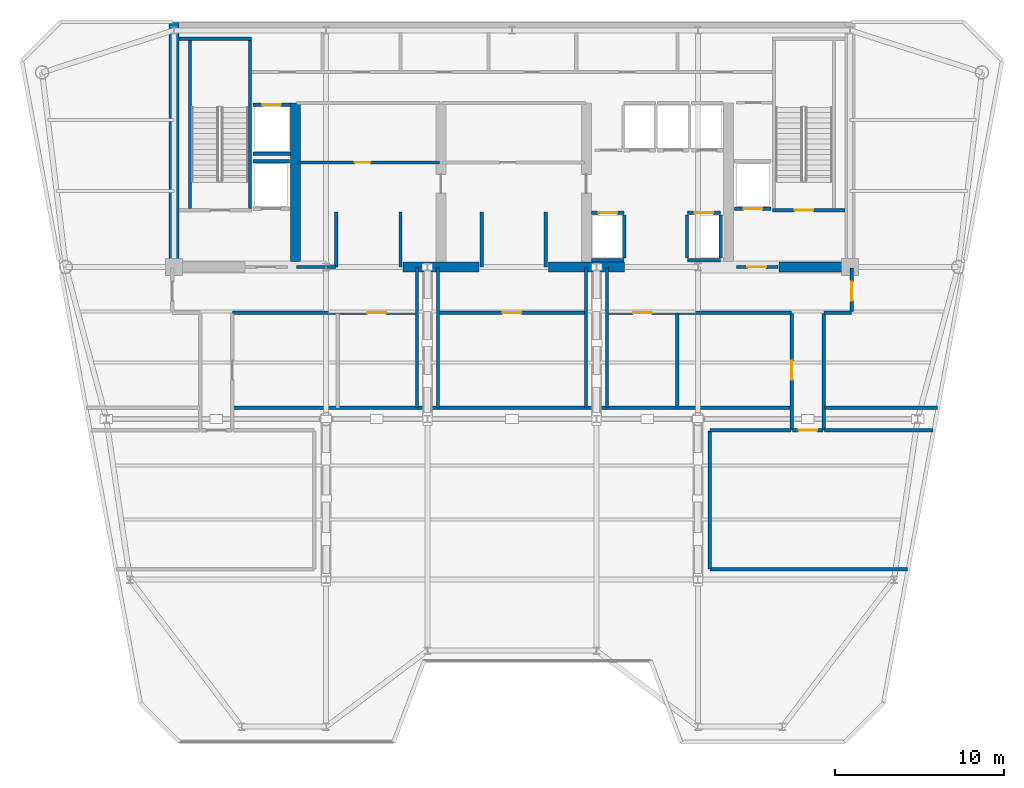
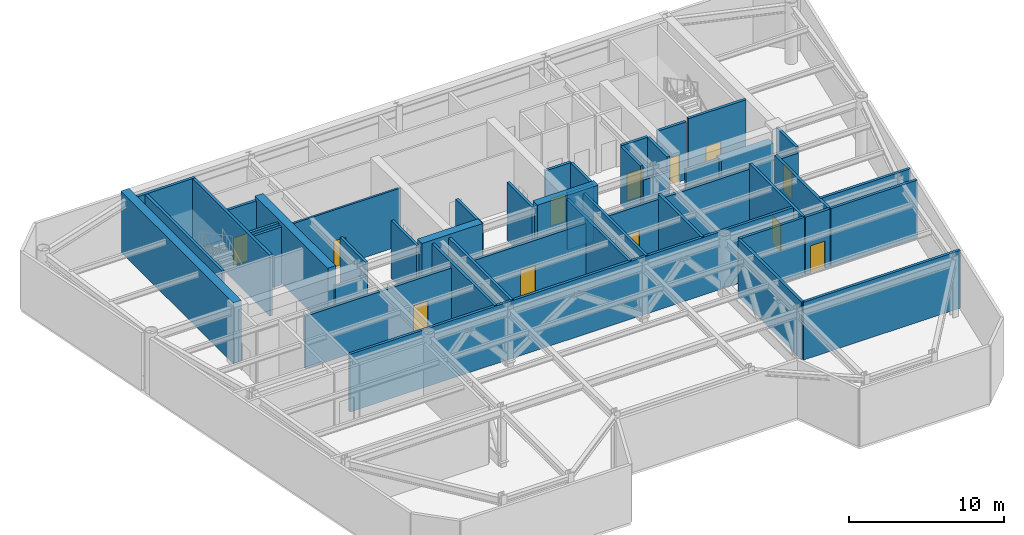
# One storey, part 4 of 9: 46 walls, 13 doors, 13 openings.
"""IFC4 building model written with IfcOpenShell, lengths in metres."""

import ifcopenshell
import ifcopenshell.guid

model = None  # the IFC model being written
_history = None  # IfcOwnerHistory: only IFC2X3 demands one
_inside = {}  # id of a spatial element -> (the spatial element, [elements in it])
_under = {}  # id of a project, library or spatial element -> (it, [spatial elements below it])
_declared = {}  # id of a project -> (the project, [libraries it declares])
_typed = {}  # id of a type object -> (the type object, [elements of that type])
_made_of = {}  # id of a material, layer set ... -> (it, [elements and type objects made of it])


def new_model(schema):
    """Start an empty IFC model of exactly this schema.

    Asked for "IFC4X3", IfcOpenShell would pick the latest addendum, in which some entities
    have other attributes; the version numbers below select the first issue.
    IFC2X3 requires an IfcOwnerHistory on every rooted entity: one is made here for all.
    """
    global model, _history
    if schema == "IFC4X3":
        model = ifcopenshell.file(schema_version=(4, 3, 0, 0))
    else:
        model = ifcopenshell.file(schema=schema)
    _inside.clear()
    _under.clear()
    _declared.clear()
    _typed.clear()
    _made_of.clear()
    _history = None
    if model.schema == "IFC2X3":
        org = make("IfcOrganization", Name="unknown")
        user = make(
            "IfcPersonAndOrganization",
            ThePerson=make("IfcPerson", FamilyName="unknown"),
            TheOrganization=org,
        )
        app = make(
            "IfcApplication",
            ApplicationDeveloper=org,
            Version="unknown",
            ApplicationFullName="unknown",
            ApplicationIdentifier="unknown",
        )
        _history = make(
            "IfcOwnerHistory",
            OwningUser=user,
            OwningApplication=app,
            ChangeAction="ADDED",
            CreationDate=0,
        )
    return model


def make(cls, **values):
    """One entity of the class cls with the attributes given. An attribute that is None is left unset."""
    return model.create_entity(
        cls, **{name: value for name, value in values.items() if value is not None}
    )


def rooted(cls, **values):
    """An entity with a GlobalId (a new one), such as an element, a storey or a relation."""
    return make(cls, GlobalId=ifcopenshell.guid.new(), OwnerHistory=_history, **values)


def si_unit(unit_type, name, prefix=None):
    """IfcSIUnit, for example si_unit("LENGTHUNIT", "METRE", prefix="MILLI")."""
    return make("IfcSIUnit", UnitType=unit_type, Prefix=prefix, Name=name)


def assignment(units):
    """IfcUnitAssignment: the units of a project."""
    return None if units is None else make("IfcUnitAssignment", Units=units)


def point(xyz):
    """IfcCartesianPoint."""
    return None if xyz is None else make("IfcCartesianPoint", Coordinates=xyz)


def direction(xyz):
    """IfcDirection."""
    return None if xyz is None else make("IfcDirection", DirectionRatios=xyz)


def frame(location, z_axis=None, x_axis=None):
    """IfcAxis2Placement3D, a coordinate frame: its origin and axes. An axis left out is left unset."""
    return make(
        "IfcAxis2Placement3D",
        Location=point(location),
        Axis=direction(z_axis),
        RefDirection=direction(x_axis),
    )


def frame_2d(location, x_axis=None):
    """IfcAxis2Placement2D, a coordinate frame in the plane: its origin and x axis."""
    return make(
        "IfcAxis2Placement2D", Location=point(location), RefDirection=direction(x_axis)
    )


def origin():
    """The frame at (0, 0, 0) with its axes left unset."""
    return frame((0.0, 0.0, 0.0))


def place(relative_to, where):
    """IfcLocalPlacement: puts the frame where relative to a parent placement (None: the world)."""
    return make(
        "IfcLocalPlacement", PlacementRelTo=relative_to, RelativePlacement=where
    )


def context(
    kind, dimensions, precision=None, world=None, true_north=None, identifier=None
):
    """IfcGeometricRepresentationContext, for example the 3D "Model" context."""
    return make(
        "IfcGeometricRepresentationContext",
        ContextIdentifier=identifier,
        ContextType=kind,
        CoordinateSpaceDimension=dimensions,
        Precision=precision,
        WorldCoordinateSystem=world,
        TrueNorth=true_north,
    )


def subcontext(parent, identifier, kind, view, scale=None):
    """IfcGeometricRepresentationSubContext, for example "Body" below "Model"."""
    return make(
        "IfcGeometricRepresentationSubContext",
        ContextIdentifier=identifier,
        ContextType=kind,
        ParentContext=parent,
        TargetScale=scale,
        TargetView=view,
    )


def project(units=None, contexts=None):
    """IfcProject with its units and contexts."""
    return rooted(
        "IfcProject",
        Name="project",
        RepresentationContexts=contexts,
        UnitsInContext=assignment(units),
    )


def spatial(cls, under=None, at=None, **own):
    """A site, building, storey or space (cls), placed at a placement, below another one or the project."""
    s = rooted(cls, ObjectPlacement=at, **own)
    if under is not None:
        _under.setdefault(under.id(), (under, []))[1].append(s)
    return s


def profile(cls, at=None, kind="AREA", **sizes):
    """A parametric profile (cls). Its sizes go by their IFC names, for example OverallWidth=200.0."""
    return make(cls, ProfileType=kind, Position=at, **sizes)


def rectangle(**sizes):
    """IfcRectangleProfileDef."""
    return profile("IfcRectangleProfileDef", **sizes)


def extrude(swept, where, along, depth):
    """IfcExtrudedAreaSolid: the profile swept, set in the frame where, extruded along a direction by depth."""
    return make(
        "IfcExtrudedAreaSolid",
        SweptArea=swept,
        Position=where,
        ExtrudedDirection=direction(along),
        Depth=depth,
    )


def shape(context_of_items, identifier, shape_type, items):
    """IfcShapeRepresentation: the items that make up one representation, for example the "Body"."""
    return make(
        "IfcShapeRepresentation",
        ContextOfItems=context_of_items,
        RepresentationIdentifier=identifier,
        RepresentationType=shape_type,
        Items=items,
    )


def source(mapping_origin, context_of_items, identifier, shape_type, items):
    """IfcRepresentationMap: a shape defined once, which mapped items show again and again."""
    return make(
        "IfcRepresentationMap",
        MappingOrigin=mapping_origin,
        MappedRepresentation=shape(context_of_items, identifier, shape_type, items),
    )


def transform(
    local_origin,
    x_axis=None,
    y_axis=None,
    z_axis=None,
    scale=None,
    scale2=None,
    scale3=None,
    uniform=True,
):
    """IfcCartesianTransformationOperator3D, or its non-uniform kind. x_axis, y_axis, z_axis: its Axis1, 2, 3."""
    if uniform:
        return make(
            "IfcCartesianTransformationOperator3D",
            Axis1=direction(x_axis),
            Axis2=direction(y_axis),
            LocalOrigin=point(local_origin),
            Scale=scale,
            Axis3=direction(z_axis),
        )
    return make(
        "IfcCartesianTransformationOperator3DnonUniform",
        Axis1=direction(x_axis),
        Axis2=direction(y_axis),
        LocalOrigin=point(local_origin),
        Scale=scale,
        Axis3=direction(z_axis),
        Scale2=scale2,
        Scale3=scale3,
    )


def mapped(mapping_source, mapping_target):
    """IfcMappedItem: shows the shape of a source again, moved by a transform."""
    return make(
        "IfcMappedItem", MappingSource=mapping_source, MappingTarget=mapping_target
    )


def material(Name=None, Category=None):
    """IfcMaterial."""
    return make("IfcMaterial", Name=Name, Category=Category)


def layer(
    of_material, thickness, ventilated=None, Name=None, Category=None, Priority=None
):
    """IfcMaterialLayer: one layer of a wall or slab, of a material (None: an air gap)."""
    return make(
        "IfcMaterialLayer",
        Material=of_material,
        LayerThickness=thickness,
        IsVentilated=ventilated,
        Name=Name,
        Category=Category,
        Priority=Priority,
    )


def layer_set(layers, Name=None):
    """IfcMaterialLayerSet."""
    return make("IfcMaterialLayerSet", MaterialLayers=layers, LayerSetName=Name)


def made_of(thing, what):
    """Note that an element or type object is made of a material, layer set ...; save() writes the relation."""
    if what is not None:
        _made_of.setdefault(what.id(), (what, []))[1].append(thing)
    return thing


def type_object(cls, material=None, **own):
    """A type object (cls), such as IfcWallType, which elements share."""
    return made_of(rooted(cls, **own), material)


def element(
    cls,
    number,
    at=None,
    inside=None,
    cuts=None,
    type_object=None,
    material=None,
    context=None,
    identifier="Body",
    shape_type=None,
    held_by="IfcProductDefinitionShape",
    body=None,
    shapes=None,
    **own,
):
    """One element of the class cls, such as IfcWall. Its Tag is "e" and its number.

    at: its placement. inside: the storey or other place that contains it. cuts: it is an
    opening in that element (IfcRelVoidsElement). A single representation is given by context,
    identifier, shape_type and body (its items); several are given by shapes. held_by: the class
    of the entity that holds the representations. save() writes the other relations.
    """
    e = rooted(cls, Tag="e%d" % number, ObjectPlacement=at, **own)
    if body is not None:
        shapes = [shape(context, identifier, shape_type, body)]
    if shapes is not None:
        e.Representation = make(held_by, Representations=shapes)
    if inside is not None:
        _inside.setdefault(inside.id(), (inside, []))[1].append(e)
    if cuts is not None:
        rooted(
            "IfcRelVoidsElement", RelatingBuildingElement=cuts, RelatedOpeningElement=e
        )
    if type_object is not None:
        _typed.setdefault(type_object.id(), (type_object, []))[1].append(e)
    return made_of(e, material)


def fill(opening, filler):
    """IfcRelFillsElement: the door or window that sits in an opening."""
    return rooted(
        "IfcRelFillsElement",
        RelatingOpeningElement=opening,
        RelatedBuildingElement=filler,
    )


def aggregate(whole, parts):
    """IfcRelAggregates: a whole, such as a stair, and the parts it consists of."""
    return rooted("IfcRelAggregates", RelatingObject=whole, RelatedObjects=parts)


def save(model, path):
    """Write the relations noted so far, then the file.

    IfcRelAggregates (storeys below a building ...), IfcRelContainedInSpatialStructure (elements
    in a storey), IfcRelDefinesByType, IfcRelAssociatesMaterial and IfcRelDeclares: one each for
    every whole, place, type object, material and project.
    """
    for whole, parts in _under.values():
        aggregate(whole, parts)
    for where, things in _inside.values():
        rooted(
            "IfcRelContainedInSpatialStructure",
            RelatedElements=things,
            RelatingStructure=where,
        )
    for kind, things in _typed.values():
        rooted("IfcRelDefinesByType", RelatedObjects=things, RelatingType=kind)
    for what, things in _made_of.values():
        rooted("IfcRelAssociatesMaterial", RelatedObjects=things, RelatingMaterial=what)
    for by, libraries in _declared.values():
        rooted("IfcRelDeclares", RelatingContext=by, RelatedDefinitions=libraries)
    model.write(path)


model = new_model("IFC4")

# Units and contexts
model_context = context("Model", 3, precision=1e-05, world=origin(), true_north=direction((0.0, 1.0)))
body_context = subcontext(model_context, "Body", "Model", "MODEL_VIEW")
ifc_project = project(units=[si_unit("LENGTHUNIT", "METRE"), si_unit("AREAUNIT", "SQUARE_METRE"), si_unit("VOLUMEUNIT", "CUBIC_METRE"), si_unit("PLANEANGLEUNIT", "RADIAN"), si_unit("MASSUNIT", "GRAM", prefix="KILO")], contexts=[model_context])

# Site, building, storey
site_placement = place(None, origin())
site = spatial("IfcSite", under=ifc_project, at=site_placement, CompositionType="ELEMENT")
building_placement = place(site_placement, origin())
building = spatial("IfcBuilding", under=site, at=building_placement, Name="Vaeldorn Concourse Tower", CompositionType="ELEMENT")
storey_placement = place(building_placement, frame((0.0, 0.0, 218.39990234375)))
storey = spatial("IfcBuildingStorey", under=building, at=storey_placement, Name="L56", CompositionType="ELEMENT", Elevation=218.39990234375)

# Walls
ifc_material_1 = material(Name="Concrete C50/60", Category="concrete")
ifc_layer_1 = layer(ifc_material_1, 0.60009765625)
ifc_layer_set_1 = layer_set([ifc_layer_1], Name="Concrete C50/60")
wall_type_1 = type_object("IfcWallType", Name="WL-CORE-600", PredefinedType="SHEAR", material=ifc_layer_set_1)
wall_1_placement = place(storey_placement, frame((14.0, 36.5, 0.0), z_axis=(0.0, 0.0, 1.0), x_axis=(0.0, 1.0, 0.0)))
element("IfcWall", 1, at=wall_1_placement, inside=storey, type_object=wall_type_1, Name="Rear Core Shear Wall L56 W1", PredefinedType="SHEAR", context=body_context, shape_type="SweptSolid", body=[
    extrude(rectangle(XDim=14.5, YDim=0.60009765625, at=frame_2d((7.25, 0.0))), origin(), (0.0, 0.0, 1.0), 4.800048828125),
])
for number, where, z_axis, x_axis, name in (
    (2, (27.550048828125, 36.5, 0.0), (0.0, 0.0, 1.0), (1.0, 0.0, 0.0), "Rear Core Shear Wall L56 S2"),
    (3, (36.14990234375, 36.5, 0.0), (0.0, 0.0, 1.0), (1.0, 0.0, 0.0), "Rear Core Shear Wall L56 S3"),
):
    element("IfcWall", number, at=place(storey_placement, frame(where, z_axis=z_axis, x_axis=x_axis)), inside=storey, type_object=wall_type_1, Name=name, PredefinedType="SHEAR", context=body_context, shape_type="SweptSolid", body=[
        extrude(rectangle(XDim=4.5, YDim=0.60009765625, at=frame_2d((2.25, 0.0))), origin(), (0.0, 0.0, 1.0), 4.800048828125),
    ])
wall_2_placement = place(storey_placement, frame((49.800048828125, 36.5, 0.0), z_axis=(0.0, 0.0, 1.0), x_axis=(1.0, 0.0, 0.0)))
element("IfcWall", 4, at=wall_2_placement, inside=storey, type_object=wall_type_1, Name="Rear Core Shear Wall L56 S4", PredefinedType="SHEAR", context=body_context, shape_type="SweptSolid", body=[
    extrude(rectangle(XDim=3.8798828125, YDim=0.60009765625, at=frame_2d((1.93994140625, 0.0))), origin(), (0.0, 0.0, 1.0), 3.5400390625),
])
wall_3_placement = place(storey_placement, frame((21.199951171875, 36.820068359375, 0.0), z_axis=(0.0, 0.0, 1.0), x_axis=(0.0, 1.0, 0.0)))
element("IfcWall", 5, at=wall_3_placement, inside=storey, type_object=wall_type_1, Name="Rear Core Shear Wall L56 M1", PredefinedType="SHEAR", context=body_context, shape_type="SweptSolid", body=[
    extrude(rectangle(XDim=9.3798828125, YDim=0.60009765625, at=frame_2d((4.68994140625, 0.0))), origin(), (0.0, 0.0, 1.0), 4.800048828125),
])

# Wall, opening, door
ifc_material_2 = material(Name="Gypsum Board Partition", Category="gypsum")
ifc_layer_2 = layer(ifc_material_2, 0.14990234375)
ifc_layer_set_2 = layer_set([ifc_layer_2], Name="Gypsum Board Partition")
wall_type_2 = type_object("IfcWallType", Name="WL-PART-150", PredefinedType="PARTITIONING", material=ifc_layer_set_2)
wall_4_placement = place(storey_placement, frame((21.300048828125, 42.679931640625, 0.0), z_axis=(0.0, 0.0, 1.0), x_axis=(1.0, 0.0, 0.0)))
wall_4 = element("IfcWall", 6, at=wall_4_placement, inside=storey, type_object=wall_type_2, Name="Interior Wall CW-L56-R1M", PredefinedType="PARTITIONING", context=body_context, shape_type="SweptSolid", body=[
    extrude(rectangle(XDim=8.39990234375, YDim=0.14990234375, at=frame_2d((4.199951171875, 0.0))), origin(), (0.0, 0.0, 1.0), 4.5400390625),
])
opening_1_placement = place(wall_4_placement, frame((3.39990234375, 0.0, 0.0)))
opening_1 = element("IfcOpeningElement", 7, at=opening_1_placement, cuts=wall_4, Name="Opening D-02", PredefinedType="OPENING", context=body_context, shape_type="SweptSolid", body=[
    extrude(rectangle(XDim=0.89990234375, YDim=2.10009765625, at=frame_2d((0.449951171875, 1.050048828125))), frame((0.0, 0.0849609375, 0.0), z_axis=(0.0, -1.0, 0.0), x_axis=(1.0, 0.0, 0.0)), (0.0, 0.0, 1.0), 0.169921875),
])
ifc_material_3 = material(Name="Fire-Rated Timber Leaf", Category="wood")
door_type_1 = type_object("IfcDoorType", Name="DR-FD30-900", OperationType="NOTDEFINED", PredefinedType="DOOR", material=ifc_material_3)
shared_shape_1 = source(origin(), body_context, "Body", "SweptSolid", [
    extrude(rectangle(XDim=0.89990234375, YDim=2.10009765625, at=frame_2d((0.449951171875, 1.050048828125))), frame((0.0, 0.02490234375, 0.0), z_axis=(0.0, -1.0, 0.0), x_axis=(1.0, 0.0, 0.0)), (0.0, 0.0, 1.0), 0.050048828125),
])
door_1_placement = place(opening_1_placement, origin())
door_1 = element("IfcDoor", 8, at=door_1_placement, inside=storey, type_object=door_type_1, Name="Interior Door DR-L56-R1M", OperationType="SINGLE_SWING_RIGHT", OverallHeight=2.10009765625, OverallWidth=0.89990234375, PredefinedType="DOOR", context=body_context, shape_type="MappedRepresentation", body=[
    mapped(shared_shape_1, transform((0.0, 0.0, 0.0), scale=1.0)),
])
fill(opening_1, door_1)

# Walls
ifc_layer_3 = layer(ifc_material_1, 0.199951171875)
ifc_layer_set_3 = layer_set([ifc_layer_3], Name="Concrete C50/60")
wall_type_3 = type_object("IfcWallType", Name="WL-SHAFT-200", PredefinedType="SOLIDWALL", material=ifc_layer_set_3)
wall_5_placement = place(storey_placement, frame((14.300048828125, 50.0, 0.0), z_axis=(0.0, 0.0, 1.0), x_axis=(1.0, 0.0, 0.0)))
element("IfcWall", 9, at=wall_5_placement, inside=storey, type_object=wall_type_3, Name="Stair Shaft Wall CW-L56-ST-1-N", PredefinedType="SOLIDWALL", context=body_context, shape_type="SweptSolid", body=[
    extrude(rectangle(XDim=4.300048828125, YDim=0.199951171875, at=frame_2d((2.14990234375, 0.0))), origin(), (0.0, 0.0, 1.0), 4.800048828125),
])
for number, where, z_axis, x_axis, name in (
    (10, (14.949951171875, 39.9599609375, 0.0), (0.0, 0.0, 1.0), (0.0, 1.0, 0.0), "Stair Shaft Wall CW-L56-ST-1-W"),
    (11, (18.5, 39.9599609375, 0.0), (0.0, 0.0, 1.0), (0.0, 1.0, 0.0), "Stair Shaft Wall CW-L56-ST-1-E"),
):
    element("IfcWall", number, at=place(storey_placement, frame(where, z_axis=z_axis, x_axis=x_axis)), inside=storey, type_object=wall_type_3, Name=name, PredefinedType="SOLIDWALL", context=body_context, shape_type="SweptSolid", body=[
        extrude(rectangle(XDim=9.929931640625, YDim=0.199951171875, at=frame_2d((4.96484375, 0.0))), origin(), (0.0, 0.0, 1.0), 4.800048828125),
    ])

# Wall, opening, door
wall_6_placement = place(storey_placement, frame((49.39990234375, 39.85009765625, 0.0), z_axis=(0.0, 0.0, 1.0), x_axis=(1.0, 0.0, 0.0)))
wall_6 = element("IfcWall", 12, at=wall_6_placement, inside=storey, type_object=wall_type_3, Name="Stair Shaft Wall CW-L56-ST-2-S", PredefinedType="SOLIDWALL", context=body_context, shape_type="SweptSolid", body=[
    extrude(rectangle(XDim=4.300048828125, YDim=0.199951171875, at=frame_2d((2.14990234375, 0.0))), origin(), (0.0, 0.0, 1.0), 4.800048828125),
])
opening_2_placement = place(wall_6_placement, frame((1.324951171875, 0.0, 0.0)))
opening_2 = element("IfcOpeningElement", 13, at=opening_2_placement, cuts=wall_6, Name="Opening D-01", PredefinedType="OPENING", context=body_context, shape_type="SweptSolid", body=[
    extrude(rectangle(XDim=1.10009765625, YDim=2.14990234375, at=frame_2d((0.550048828125, 1.074951171875))), frame((0.0, 0.10986328125, 0.0), z_axis=(0.0, -1.0, 0.0), x_axis=(1.0, 0.0, 0.0)), (0.0, 0.0, 1.0), 0.219970703125),
])
ifc_material_4 = material(Name="Fire-Rated Timber and Steel Leaf", Category="steel")
door_type_2 = type_object("IfcDoorType", Name="DR-FD60-1100", OperationType="NOTDEFINED", PredefinedType="DOOR", material=ifc_material_4)
shared_shape_2 = source(origin(), body_context, "Body", "SweptSolid", [
    extrude(rectangle(XDim=1.10009765625, YDim=2.14990234375, at=frame_2d((0.550048828125, 1.074951171875))), frame((0.0, 0.02490234375, 0.0), z_axis=(0.0, -1.0, 0.0), x_axis=(1.0, 0.0, 0.0)), (0.0, 0.0, 1.0), 0.050048828125),
])
door_2_placement = place(opening_2_placement, origin())
door_2 = element("IfcDoor", 14, at=door_2_placement, inside=storey, type_object=door_type_2, Name="Interior Door DR-L56-ST-2", OperationType="SINGLE_SWING_RIGHT", OverallHeight=2.14990234375, OverallWidth=1.10009765625, PredefinedType="DOOR", context=body_context, shape_type="MappedRepresentation", body=[
    mapped(shared_shape_2, transform((0.0, 0.0, 0.0), scale=1.0)),
])
fill(opening_2, door_2)

wall_7_placement = place(storey_placement, frame((47.280029296875, 36.5, 0.0), z_axis=(0.0, 0.0, 1.0), x_axis=(1.0, 0.0, 0.0)))
wall_7 = element("IfcWall", 15, at=wall_7_placement, inside=storey, type_object=wall_type_3, Name="Interior Wall CW-L56-FF2S", PredefinedType="SOLIDWALL", context=body_context, shape_type="SweptSolid", body=[
    extrude(rectangle(XDim=2.469970703125, YDim=0.199951171875, at=frame_2d((1.23486328125, 0.0))), origin(), (0.0, 0.0, 1.0), 3.530029296875),
])
opening_3_placement = place(wall_7_placement, frame((0.64990234375, 0.0, 0.0)))
opening_3 = element("IfcOpeningElement", 16, at=opening_3_placement, cuts=wall_7, Name="Opening D-01", PredefinedType="OPENING", context=body_context, shape_type="SweptSolid", body=[
    extrude(rectangle(XDim=1.10009765625, YDim=2.14990234375, at=frame_2d((0.550048828125, 1.074951171875))), frame((0.0, 0.10986328125, 0.0), z_axis=(0.0, -1.0, 0.0), x_axis=(1.0, 0.0, 0.0)), (0.0, 0.0, 1.0), 0.219970703125),
])
door_3_placement = place(opening_3_placement, origin())
door_3 = element("IfcDoor", 17, at=door_3_placement, inside=storey, type_object=door_type_2, Name="Interior Door DR-L56-FF2W", OperationType="SINGLE_SWING_LEFT", OverallHeight=2.14990234375, OverallWidth=1.10009765625, PredefinedType="DOOR", context=body_context, shape_type="MappedRepresentation", body=[
    mapped(shared_shape_2, transform((0.0, 0.0, 0.0), scale=1.0)),
])
fill(opening_3, door_3)

wall_8_placement = place(storey_placement, frame((38.7099609375, 39.699951171875, 0.0), z_axis=(0.0, 0.0, 1.0), x_axis=(1.0, 0.0, 0.0)))
wall_8 = element("IfcWall", 18, at=wall_8_placement, inside=storey, type_object=wall_type_3, Name="Interior Wall CW-L56-LF-LF-13", PredefinedType="SOLIDWALL", context=body_context, shape_type="SweptSolid", body=[
    extrude(rectangle(XDim=1.919921875, YDim=0.199951171875, at=frame_2d((0.9599609375, 0.0))), origin(), (0.0, 0.0, 1.0), 4.5400390625),
])
opening_4_placement = place(wall_8_placement, frame((0.409912109375, 0.0, 0.0)))
opening_4 = element("IfcOpeningElement", 19, at=opening_4_placement, cuts=wall_8, Name="Opening LD-1", PredefinedType="OPENING", context=body_context, shape_type="SweptSolid", body=[
    extrude(rectangle(XDim=1.10009765625, YDim=2.14990234375, at=frame_2d((0.550048828125, 1.074951171875))), frame((0.0, 0.10986328125, 0.0), z_axis=(0.0, -1.0, 0.0), x_axis=(1.0, 0.0, 0.0)), (0.0, 0.0, 1.0), 0.219970703125),
])
ifc_material_5 = material(Name="Anodised Bronze Aluminium", Category="aluminium")
door_type_3 = type_object("IfcDoorType", Name="DR-LIFT-SLIDE-1100", OperationType="DOUBLE_DOOR_SLIDING", PredefinedType="DOOR", material=ifc_material_5)
door_4_placement = place(opening_4_placement, origin())
door_4 = element("IfcDoor", 20, at=door_4_placement, inside=storey, type_object=door_type_3, Name="Lift Landing Door LD-L56-LF-13", OperationType="DOUBLE_DOOR_SLIDING", OverallHeight=2.14990234375, OverallWidth=1.10009765625, PredefinedType="DOOR", context=body_context, shape_type="MappedRepresentation", body=[
    mapped(shared_shape_2, transform((0.0, 0.0, 0.0), scale=1.0)),
])
fill(opening_4, door_4)

# Walls
wall_9_placement = place(storey_placement, frame((38.7099609375, 36.89990234375, 0.0), z_axis=(0.0, 0.0, 1.0), x_axis=(1.0, 0.0, 0.0)))
element("IfcWall", 21, at=wall_9_placement, inside=storey, type_object=wall_type_3, Name="Interior Wall CW-L56-LFB-LF-13", PredefinedType="SOLIDWALL", context=body_context, shape_type="SweptSolid", body=[
    extrude(rectangle(XDim=1.919921875, YDim=0.199951171875, at=frame_2d((0.9599609375, 0.0))), origin(), (0.0, 0.0, 1.0), 4.5400390625),
])
wall_10_placement = place(storey_placement, frame((40.64990234375, 37.02001953125, 0.0), z_axis=(0.0, 0.0, 1.0), x_axis=(0.0, 1.0, 0.0)))
element("IfcWall", 22, at=wall_10_placement, inside=storey, type_object=wall_type_3, Name="Interior Wall CW-L56-LFE-LF-13", PredefinedType="SOLIDWALL", context=body_context, shape_type="SweptSolid", body=[
    extrude(rectangle(XDim=2.56005859375, YDim=0.199951171875, at=frame_2d((1.280029296875, 0.0))), origin(), (0.0, 0.0, 1.0), 4.5400390625),
])

# Wall, opening, door
wall_11_placement = place(storey_placement, frame((44.3701171875, 39.699951171875, 0.0), z_axis=(0.0, 0.0, 1.0), x_axis=(1.0, 0.0, 0.0)))
wall_11 = element("IfcWall", 23, at=wall_11_placement, inside=storey, type_object=wall_type_3, Name="Interior Wall CW-L56-LF-LF-14", PredefinedType="SOLIDWALL", context=body_context, shape_type="SweptSolid", body=[
    extrude(rectangle(XDim=1.9599609375, YDim=0.199951171875, at=frame_2d((0.97998046875, 0.0))), origin(), (0.0, 0.0, 1.0), 4.5400390625),
])
opening_5_placement = place(wall_11_placement, frame((0.429931640625, 0.0, 0.0)))
opening_5 = element("IfcOpeningElement", 24, at=opening_5_placement, cuts=wall_11, Name="Opening LD-1", PredefinedType="OPENING", context=body_context, shape_type="SweptSolid", body=[
    extrude(rectangle(XDim=1.10009765625, YDim=2.14990234375, at=frame_2d((0.550048828125, 1.074951171875))), frame((0.0, 0.10986328125, 0.0), z_axis=(0.0, -1.0, 0.0), x_axis=(1.0, 0.0, 0.0)), (0.0, 0.0, 1.0), 0.219970703125),
])
door_5_placement = place(opening_5_placement, origin())
door_5 = element("IfcDoor", 25, at=door_5_placement, inside=storey, type_object=door_type_3, Name="Lift Landing Door LD-L56-LF-14", OperationType="DOUBLE_DOOR_SLIDING", OverallHeight=2.14990234375, OverallWidth=1.10009765625, PredefinedType="DOOR", context=body_context, shape_type="MappedRepresentation", body=[
    mapped(shared_shape_2, transform((0.0, 0.0, 0.0), scale=1.0)),
])
fill(opening_5, door_5)

# Walls
wall_12_placement = place(storey_placement, frame((44.3701171875, 36.89990234375, 0.0), z_axis=(0.0, 0.0, 1.0), x_axis=(1.0, 0.0, 0.0)))
element("IfcWall", 26, at=wall_12_placement, inside=storey, type_object=wall_type_3, Name="Interior Wall CW-L56-LFB-LF-14", PredefinedType="SOLIDWALL", context=body_context, shape_type="SweptSolid", body=[
    extrude(rectangle(XDim=1.9599609375, YDim=0.199951171875, at=frame_2d((0.97998046875, 0.0))), origin(), (0.0, 0.0, 1.0), 3.530029296875),
])
for number, where, z_axis, x_axis, name in (
    (27, (44.35009765625, 37.02001953125, 0.0), (0.0, 0.0, 1.0), (0.0, 1.0, 0.0), "Interior Wall CW-L56-LFW-LF-14"),
    (28, (46.35009765625, 37.02001953125, 0.0), (0.0, 0.0, 1.0), (0.0, 1.0, 0.0), "Interior Wall CW-L56-LFE-LF-14"),
):
    element("IfcWall", number, at=place(storey_placement, frame(where, z_axis=z_axis, x_axis=x_axis)), inside=storey, type_object=wall_type_3, Name=name, PredefinedType="SOLIDWALL", context=body_context, shape_type="SweptSolid", body=[
        extrude(rectangle(XDim=2.56005859375, YDim=0.199951171875, at=frame_2d((1.280029296875, 0.0))), origin(), (0.0, 0.0, 1.0), 4.5400390625),
    ])

# Wall, opening, door
wall_13_placement = place(storey_placement, frame((18.669921875, 46.10009765625, 0.0), z_axis=(0.0, 0.0, 1.0), x_axis=(1.0, 0.0, 0.0)))
wall_13 = element("IfcWall", 29, at=wall_13_placement, inside=storey, type_object=wall_type_3, Name="Interior Wall CW-L56-LF-LF-SV1", PredefinedType="SOLIDWALL", context=body_context, shape_type="SweptSolid", body=[
    extrude(rectangle(XDim=2.219970703125, YDim=0.199951171875, at=frame_2d((1.10986328125, 0.0))), origin(), (0.0, 0.0, 1.0), 4.5400390625),
])
opening_6_placement = place(wall_13_placement, frame((0.56005859375, 0.0, 0.0)))
opening_6 = element("IfcOpeningElement", 30, at=opening_6_placement, cuts=wall_13, Name="Opening LD-1", PredefinedType="OPENING", context=body_context, shape_type="SweptSolid", body=[
    extrude(rectangle(XDim=1.10009765625, YDim=2.14990234375, at=frame_2d((0.550048828125, 1.074951171875))), frame((0.0, 0.10986328125, 0.0), z_axis=(0.0, -1.0, 0.0), x_axis=(1.0, 0.0, 0.0)), (0.0, 0.0, 1.0), 0.219970703125),
])
door_6_placement = place(opening_6_placement, origin())
door_6 = element("IfcDoor", 31, at=door_6_placement, inside=storey, type_object=door_type_3, Name="Lift Landing Door LD-L56-LF-SV1", OperationType="DOUBLE_DOOR_SLIDING", OverallHeight=2.14990234375, OverallWidth=1.10009765625, PredefinedType="DOOR", context=body_context, shape_type="MappedRepresentation", body=[
    mapped(shared_shape_2, transform((0.0, 0.0, 0.0), scale=1.0)),
])
fill(opening_6, door_6)

# Walls
wall_14_placement = place(storey_placement, frame((18.669921875, 43.199951171875, 0.0), z_axis=(0.0, 0.0, 1.0), x_axis=(1.0, 0.0, 0.0)))
element("IfcWall", 32, at=wall_14_placement, inside=storey, type_object=wall_type_3, Name="Interior Wall CW-L56-LFB-LF-SV1", PredefinedType="SOLIDWALL", context=body_context, shape_type="SweptSolid", body=[
    extrude(rectangle(XDim=2.219970703125, YDim=0.199951171875, at=frame_2d((1.10986328125, 0.0))), origin(), (0.0, 0.0, 1.0), 4.5400390625),
])
wall_15_placement = place(storey_placement, frame((18.669921875, 42.75, 0.0), z_axis=(0.0, 0.0, 1.0), x_axis=(1.0, 0.0, 0.0)))
element("IfcWall", 33, at=wall_15_placement, inside=storey, type_object=wall_type_3, Name="Interior Wall CW-L56-LFB-LF-FF1", PredefinedType="SOLIDWALL", context=body_context, shape_type="SweptSolid", body=[
    extrude(rectangle(XDim=2.16015625, YDim=0.199951171875, at=frame_2d((1.080078125, 0.0))), origin(), (0.0, 0.0, 1.0), 4.5400390625),
])

# Wall, opening, door
wall_16_placement = place(storey_placement, frame((47.169921875, 39.949951171875, 0.0), z_axis=(0.0, 0.0, 1.0), x_axis=(1.0, 0.0, 0.0)))
wall_16 = element("IfcWall", 34, at=wall_16_placement, inside=storey, type_object=wall_type_3, Name="Interior Wall CW-L56-LF-LF-FF2", PredefinedType="SOLIDWALL", context=body_context, shape_type="SweptSolid", body=[
    extrude(rectangle(XDim=2.16015625, YDim=0.199951171875, at=frame_2d((1.080078125, 0.0))), origin(), (0.0, 0.0, 1.0), 4.5400390625),
])
opening_7_placement = place(wall_16_placement, frame((0.530029296875, 0.0, 0.0)))
opening_7 = element("IfcOpeningElement", 35, at=opening_7_placement, cuts=wall_16, Name="Opening LD-1", PredefinedType="OPENING", context=body_context, shape_type="SweptSolid", body=[
    extrude(rectangle(XDim=1.10009765625, YDim=2.14990234375, at=frame_2d((0.550048828125, 1.074951171875))), frame((0.0, 0.10986328125, 0.0), z_axis=(0.0, -1.0, 0.0), x_axis=(1.0, 0.0, 0.0)), (0.0, 0.0, 1.0), 0.219970703125),
])
door_7_placement = place(opening_7_placement, origin())
door_7 = element("IfcDoor", 36, at=door_7_placement, inside=storey, type_object=door_type_3, Name="Lift Landing Door LD-L56-LF-FF2", OperationType="DOUBLE_DOOR_SLIDING", OverallHeight=2.14990234375, OverallWidth=1.10009765625, PredefinedType="DOOR", context=body_context, shape_type="MappedRepresentation", body=[
    mapped(shared_shape_2, transform((0.0, 0.0, 0.0), scale=1.0)),
])
fill(opening_7, door_7)

# Walls
wall_17_placement = place(storey_placement, frame((21.25, 36.5, 0.0), z_axis=(0.0, 0.0, 1.0), x_axis=(1.0, 0.0, 0.0)))
element("IfcWall", 37, at=wall_17_placement, inside=storey, type_object=wall_type_3, Name="Interior Wall CW-L56-R1S1", PredefinedType="SOLIDWALL", context=body_context, shape_type="SweptSolid", body=[
    extrude(rectangle(XDim=2.35009765625, YDim=0.199951171875, at=frame_2d((1.175048828125, 0.0))), origin(), (0.0, 0.0, 1.0), 3.530029296875),
])
for number, where, z_axis, x_axis, name in (
    (38, (23.60009765625, 36.5, 0.0), (0.0, 0.0, 1.0), (0.0, 1.0, 0.0), "Interior Wall CW-L56-R1S2"),
    (39, (27.39990234375, 36.5, 0.0), (0.0, 0.0, 1.0), (0.0, 1.0, 0.0), "Interior Wall CW-L56-R1S3"),
    (40, (32.199951171875, 36.5, 0.0), (0.0, 0.0, 1.0), (0.0, 1.0, 0.0), "Interior Wall CW-L56-R2S2"),
    (41, (36.0, 36.5, 0.0), (0.0, 0.0, 1.0), (0.0, 1.0, 0.0), "Interior Wall CW-L56-R2S3"),
):
    element("IfcWall", number, at=place(storey_placement, frame(where, z_axis=z_axis, x_axis=x_axis)), inside=storey, type_object=wall_type_3, Name=name, PredefinedType="SOLIDWALL", context=body_context, shape_type="SweptSolid", body=[
        extrude(rectangle(XDim=3.25, YDim=0.199951171875, at=frame_2d((1.625, 0.0))), origin(), (0.0, 0.0, 1.0), 4.5400390625),
    ])

# Wall, opening, door
wall_18_placement = place(storey_placement, frame((17.449951171875, 33.800048828125, 0.0), z_axis=(0.0, 0.0, 1.0), x_axis=(1.0, 0.0, 0.0)))
wall_18 = element("IfcWall", 42, at=wall_18_placement, inside=storey, type_object=wall_type_3, Name="Interior Wall PW-L56-PCW2", PredefinedType="SOLIDWALL", context=body_context, shape_type="SweptSolid", body=[
    extrude(rectangle(XDim=10.91015625, YDim=0.199951171875, at=frame_2d((5.455078125, 0.0))), origin(), (0.0, 0.0, 1.0), 4.130126953125),
])
opening_8_placement = place(wall_18_placement, frame((8.010009765625, 0.0, 0.0)))
opening_8 = element("IfcOpeningElement", 43, at=opening_8_placement, cuts=wall_18, Name="Opening D-01", PredefinedType="OPENING", context=body_context, shape_type="SweptSolid", body=[
    extrude(rectangle(XDim=1.10009765625, YDim=2.14990234375, at=frame_2d((0.550048828125, 1.074951171875))), frame((0.0, 0.10986328125, 0.0), z_axis=(0.0, -1.0, 0.0), x_axis=(1.0, 0.0, 0.0)), (0.0, 0.0, 1.0), 0.219970703125),
])
door_8_placement = place(opening_8_placement, origin())
door_8 = element("IfcDoor", 44, at=door_8_placement, inside=storey, type_object=door_type_2, Name="Interior Door DR-L56-PL1", OperationType="SINGLE_SWING_LEFT", OverallHeight=2.14990234375, OverallWidth=1.10009765625, PredefinedType="DOOR", context=body_context, shape_type="MappedRepresentation", body=[
    mapped(shared_shape_2, transform((0.0, 0.0, 0.0), scale=1.0)),
])
fill(opening_8, door_8)

wall_19_placement = place(storey_placement, frame((29.639892578125, 33.800048828125, 0.0), z_axis=(0.0, 0.0, 1.0), x_axis=(1.0, 0.0, 0.0)))
wall_19 = element("IfcWall", 45, at=wall_19_placement, inside=storey, type_object=wall_type_3, Name="Interior Wall PW-L56-PCC", PredefinedType="SOLIDWALL", context=body_context, shape_type="SweptSolid", body=[
    extrude(rectangle(XDim=8.72021484375, YDim=0.199951171875, at=frame_2d((4.360107421875, 0.0))), origin(), (0.0, 0.0, 1.0), 4.130126953125),
])
opening_9_placement = place(wall_19_placement, frame((3.800048828125, 0.0, 0.0)))
opening_9 = element("IfcOpeningElement", 46, at=opening_9_placement, cuts=wall_19, Name="Opening D-01", PredefinedType="OPENING", context=body_context, shape_type="SweptSolid", body=[
    extrude(rectangle(XDim=1.10009765625, YDim=2.14990234375, at=frame_2d((0.550048828125, 1.074951171875))), frame((0.0, 0.10986328125, 0.0), z_axis=(0.0, -1.0, 0.0), x_axis=(1.0, 0.0, 0.0)), (0.0, 0.0, 1.0), 0.219970703125),
])
door_9_placement = place(opening_9_placement, origin())
door_9 = element("IfcDoor", 47, at=door_9_placement, inside=storey, type_object=door_type_2, Name="Interior Door DR-L56-PL2", OperationType="SINGLE_SWING_RIGHT", OverallHeight=2.14990234375, OverallWidth=1.10009765625, PredefinedType="DOOR", context=body_context, shape_type="MappedRepresentation", body=[
    mapped(shared_shape_2, transform((0.0, 0.0, 0.0), scale=1.0)),
])
fill(opening_9, door_9)

wall_20_placement = place(storey_placement, frame((39.639892578125, 33.800048828125, 0.0), z_axis=(0.0, 0.0, 1.0), x_axis=(1.0, 0.0, 0.0)))
wall_20 = element("IfcWall", 48, at=wall_20_placement, inside=storey, type_object=wall_type_3, Name="Interior Wall PW-L56-PCE1", PredefinedType="SOLIDWALL", context=body_context, shape_type="SweptSolid", body=[
    extrude(rectangle(XDim=10.91015625, YDim=0.199951171875, at=frame_2d((5.455078125, 0.0))), origin(), (0.0, 0.0, 1.0), 4.130126953125),
])
opening_10_placement = place(wall_20_placement, frame((1.52490234375, 0.0, 0.0)))
opening_10 = element("IfcOpeningElement", 49, at=opening_10_placement, cuts=wall_20, Name="Opening D-01", PredefinedType="OPENING", context=body_context, shape_type="SweptSolid", body=[
    extrude(rectangle(XDim=1.10009765625, YDim=2.14990234375, at=frame_2d((0.550048828125, 1.074951171875))), frame((0.0, 0.10986328125, 0.0), z_axis=(0.0, -1.0, 0.0), x_axis=(1.0, 0.0, 0.0)), (0.0, 0.0, 1.0), 0.219970703125),
])
door_10_placement = place(opening_10_placement, origin())
door_10 = element("IfcDoor", 50, at=door_10_placement, inside=storey, type_object=door_type_2, Name="Interior Door DR-L56-PL3", OperationType="SINGLE_SWING_LEFT", OverallHeight=2.14990234375, OverallWidth=1.10009765625, PredefinedType="DOOR", context=body_context, shape_type="MappedRepresentation", body=[
    mapped(shared_shape_2, transform((0.0, 0.0, 0.0), scale=1.0)),
])
fill(opening_10, door_10)

# Wall
wall_21_placement = place(storey_placement, frame((52.449951171875, 33.800048828125, 0.0), z_axis=(0.0, 0.0, 1.0), x_axis=(1.0, 0.0, 0.0)))
element("IfcWall", 51, at=wall_21_placement, inside=storey, type_object=wall_type_3, Name="Interior Wall PW-L56-PCE2", PredefinedType="SOLIDWALL", context=body_context, shape_type="SweptSolid", body=[
    extrude(rectangle(XDim=1.650146484375, YDim=0.199951171875, at=frame_2d((0.8251953125, 0.0))), origin(), (0.0, 0.0, 1.0), 4.130126953125),
])

# Wall, opening, door
wall_22_placement = place(storey_placement, frame((54.10009765625, 33.860107421875, 0.0), z_axis=(0.0, 0.0, 1.0), x_axis=(0.0, 1.0, 0.0)))
wall_22 = element("IfcWall", 52, at=wall_22_placement, inside=storey, type_object=wall_type_3, Name="Interior Wall PW-L56-RNE", PredefinedType="SOLIDWALL", context=body_context, shape_type="SweptSolid", body=[
    extrude(rectangle(XDim=2.579833984375, YDim=0.199951171875, at=frame_2d((1.2900390625, 0.0))), origin(), (0.0, 0.0, 1.0), 4.5400390625),
])
opening_11_placement = place(wall_22_placement, frame((0.64990234375, 0.0, 0.0)))
opening_11 = element("IfcOpeningElement", 53, at=opening_11_placement, cuts=wall_22, Name="Opening D-01", PredefinedType="OPENING", context=body_context, shape_type="SweptSolid", body=[
    extrude(rectangle(XDim=1.10009765625, YDim=2.14990234375, at=frame_2d((0.550048828125, 1.074951171875))), frame((0.0, 0.10986328125, 0.0), z_axis=(0.0, -1.0, 0.0), x_axis=(1.0, 0.0, 0.0)), (0.0, 0.0, 1.0), 0.219970703125),
])
door_11_placement = place(opening_11_placement, origin())
door_11 = element("IfcDoor", 54, at=door_11_placement, inside=storey, type_object=door_type_2, Name="Interior Door DR-L56-REF2", OperationType="SINGLE_SWING_RIGHT", OverallHeight=2.14990234375, OverallWidth=1.10009765625, PredefinedType="DOOR", context=body_context, shape_type="MappedRepresentation", body=[
    mapped(shared_shape_2, transform((0.0, 0.0, 0.0), scale=1.0)),
])
fill(opening_11, door_11)

wall_23_placement = place(storey_placement, frame((50.56005859375, 26.840087890625, 0.0), z_axis=(0.0, 0.0, 1.0), x_axis=(0.0, 1.0, 0.0)))
wall_23 = element("IfcWall", 55, at=wall_23_placement, inside=storey, type_object=wall_type_3, Name="Interior Wall PW-L56-SPEW", PredefinedType="SOLIDWALL", context=body_context, shape_type="SweptSolid", body=[
    extrude(rectangle(XDim=6.919921875, YDim=0.199951171875, at=frame_2d((3.4599609375, 0.0))), origin(), (0.0, 0.0, 1.0), 4.5400390625),
])
opening_12_placement = place(wall_23_placement, frame((3.0, 0.0, 0.0)))
opening_12 = element("IfcOpeningElement", 56, at=opening_12_placement, cuts=wall_23, Name="Opening D-01", PredefinedType="OPENING", context=body_context, shape_type="SweptSolid", body=[
    extrude(rectangle(XDim=1.10009765625, YDim=2.14990234375, at=frame_2d((0.550048828125, 1.074951171875))), frame((0.0, 0.10986328125, 0.0), z_axis=(0.0, -1.0, 0.0), x_axis=(1.0, 0.0, 0.0)), (0.0, 0.0, 1.0), 0.219970703125),
])
door_12_placement = place(opening_12_placement, origin())
door_12 = element("IfcDoor", 57, at=door_12_placement, inside=storey, type_object=door_type_2, Name="Interior Door DR-L56-REF2B", OperationType="SINGLE_SWING_LEFT", OverallHeight=2.14990234375, OverallWidth=1.10009765625, PredefinedType="DOOR", context=body_context, shape_type="MappedRepresentation", body=[
    mapped(shared_shape_2, transform((0.0, 0.0, 0.0), scale=1.0)),
])
fill(opening_12, door_12)

# Wall
wall_24_placement = place(storey_placement, frame((52.43994140625, 26.840087890625, 0.0), z_axis=(0.0, 0.0, 1.0), x_axis=(0.0, 1.0, 0.0)))
element("IfcWall", 58, at=wall_24_placement, inside=storey, type_object=wall_type_3, Name="Interior Wall PW-L56-SPEE", PredefinedType="SOLIDWALL", context=body_context, shape_type="SweptSolid", body=[
    extrude(rectangle(XDim=6.919921875, YDim=0.199951171875, at=frame_2d((3.4599609375, 0.0))), origin(), (0.0, 0.0, 1.0), 4.5400390625),
])

# Wall, opening, door
wall_25_placement = place(storey_placement, frame((50.60009765625, 26.840087890625, 0.0), z_axis=(0.0, 0.0, 1.0), x_axis=(1.0, 0.0, 0.0)))
wall_25 = element("IfcWall", 59, at=wall_25_placement, inside=storey, type_object=wall_type_3, Name="Interior Wall PW-L56-SPES", PredefinedType="SOLIDWALL", context=body_context, shape_type="SweptSolid", body=[
    extrude(rectangle(XDim=1.7998046875, YDim=0.199951171875, at=frame_2d((0.89990234375, 0.0))), origin(), (0.0, 0.0, 1.0), 4.5400390625),
])
opening_13_placement = place(wall_25_placement, frame((0.35009765625, 0.0, 0.0)))
opening_13 = element("IfcOpeningElement", 60, at=opening_13_placement, cuts=wall_25, Name="Opening D-01", PredefinedType="OPENING", context=body_context, shape_type="SweptSolid", body=[
    extrude(rectangle(XDim=1.10009765625, YDim=2.14990234375, at=frame_2d((0.550048828125, 1.074951171875))), frame((0.0, 0.10986328125, 0.0), z_axis=(0.0, -1.0, 0.0), x_axis=(1.0, 0.0, 0.0)), (0.0, 0.0, 1.0), 0.219970703125),
])
door_13_placement = place(opening_13_placement, origin())
door_13 = element("IfcDoor", 61, at=door_13_placement, inside=storey, type_object=door_type_2, Name="Interior Door DR-L56-REF4", OperationType="SINGLE_SWING_RIGHT", OverallHeight=2.14990234375, OverallWidth=1.10009765625, PredefinedType="DOOR", context=body_context, shape_type="MappedRepresentation", body=[
    mapped(shared_shape_2, transform((0.0, 0.0, 0.0), scale=1.0)),
])
fill(opening_13, door_13)

# Walls
for number, where, z_axis, x_axis, name in (
    (62, (28.3798828125, 28.159912109375, 0.0), (0.0, 0.0, 1.0), (0.0, 1.0, 0.0), "Interior Wall PW-L56-OT2W"),
    (63, (29.6201171875, 28.159912109375, 0.0), (0.0, 0.0, 1.0), (0.0, 1.0, 0.0), "Interior Wall PW-L56-OT2E"),
    (64, (38.3798828125, 28.159912109375, 0.0), (0.0, 0.0, 1.0), (0.0, 1.0, 0.0), "Interior Wall PW-L56-OT3W"),
    (65, (39.6201171875, 28.159912109375, 0.0), (0.0, 0.0, 1.0), (0.0, 1.0, 0.0), "Interior Wall PW-L56-OT3E"),
):
    element("IfcWall", number, at=place(storey_placement, frame(where, z_axis=z_axis, x_axis=x_axis)), inside=storey, type_object=wall_type_3, Name=name, PredefinedType="SOLIDWALL", context=body_context, shape_type="SweptSolid", body=[
        extrude(rectangle(XDim=8.300048828125, YDim=0.199951171875, at=frame_2d((4.14990234375, 0.0))), origin(), (0.0, 0.0, 1.0), 4.5400390625),
    ])
wall_26_placement = place(storey_placement, frame((43.77001953125, 28.159912109375, 0.0), z_axis=(0.0, 0.0, 1.0), x_axis=(0.0, 1.0, 0.0)))
element("IfcWall", 66, at=wall_26_placement, inside=storey, type_object=wall_type_3, Name="Interior Wall PW-L56-PL3E", PredefinedType="SOLIDWALL", context=body_context, shape_type="SweptSolid", body=[
    extrude(rectangle(XDim=5.60009765625, YDim=0.199951171875, at=frame_2d((2.800048828125, 0.0))), origin(), (0.0, 0.0, 1.0), 4.5400390625),
])
wall_27_placement = place(storey_placement, frame((17.47998046875, 28.159912109375, 0.0), z_axis=(0.0, 0.0, 1.0), x_axis=(1.0, 0.0, 0.0)))
element("IfcWall", 67, at=wall_27_placement, inside=storey, type_object=wall_type_3, Name="Interior Wall PW-L56-BTN2", PredefinedType="SOLIDWALL", context=body_context, shape_type="SweptSolid", body=[
    extrude(rectangle(XDim=33.0400390625, YDim=0.199951171875, at=frame_2d((16.52001953125, 0.0))), origin(), (0.0, 0.0, 1.0), 4.5400390625),
])
wall_28_placement = place(storey_placement, frame((52.47998046875, 28.159912109375, 0.0), z_axis=(0.0, 0.0, 1.0), x_axis=(1.0, 0.0, 0.0)))
element("IfcWall", 68, at=wall_28_placement, inside=storey, type_object=wall_type_3, Name="Interior Wall PW-L56-BTN3", PredefinedType="SOLIDWALL", context=body_context, shape_type="SweptSolid", body=[
    extrude(rectangle(XDim=6.6806640625, YDim=0.199951171875, at=frame_2d((3.34033203125, 0.0))), origin(), (0.0, 0.0, 1.0), 4.5400390625),
])
wall_29_placement = place(storey_placement, frame((45.699951171875, 26.840087890625, 0.0), z_axis=(0.0, 0.0, 1.0), x_axis=(1.0, 0.0, 0.0)))
element("IfcWall", 69, at=wall_29_placement, inside=storey, type_object=wall_type_3, Name="Interior Wall PW-L56-BTSE1", PredefinedType="SOLIDWALL", context=body_context, shape_type="SweptSolid", body=[
    extrude(rectangle(XDim=4.820068359375, YDim=0.199951171875, at=frame_2d((2.41015625, 0.0))), origin(), (0.0, 0.0, 1.0), 4.5400390625),
])
wall_30_placement = place(storey_placement, frame((52.47998046875, 26.840087890625, 0.0), z_axis=(0.0, 0.0, 1.0), x_axis=(1.0, 0.0, 0.0)))
element("IfcWall", 70, at=wall_30_placement, inside=storey, type_object=wall_type_3, Name="Interior Wall PW-L56-BTSE2", PredefinedType="SOLIDWALL", context=body_context, shape_type="SweptSolid", body=[
    extrude(rectangle(XDim=6.4365234375, YDim=0.199951171875, at=frame_2d((3.21826171875, 0.0))), origin(), (0.0, 0.0, 1.0), 4.5400390625),
])
wall_31_placement = place(storey_placement, frame((45.699951171875, 18.6201171875, 0.0), z_axis=(0.0, 0.0, 1.0), x_axis=(0.0, 1.0, 0.0)))
element("IfcWall", 71, at=wall_31_placement, inside=storey, type_object=wall_type_3, Name="Interior Wall PW-L56-OT4E", PredefinedType="SOLIDWALL", context=body_context, shape_type="SweptSolid", body=[
    extrude(rectangle(XDim=8.179931640625, YDim=0.199951171875, at=frame_2d((4.08984375, 0.0))), origin(), (0.0, 0.0, 1.0), 4.5400390625),
])
wall_32_placement = place(storey_placement, frame((45.699951171875, 18.6201171875, 0.0), z_axis=(0.0, 0.0, 1.0), x_axis=(1.0, 0.0, 0.0)))
element("IfcWall", 72, at=wall_32_placement, inside=storey, type_object=wall_type_3, Name="Interior Wall PW-L56-S18E", PredefinedType="SOLIDWALL", context=body_context, shape_type="SweptSolid", body=[
    extrude(rectangle(XDim=11.696044921875, YDim=0.199951171875, at=frame_2d((5.84814453125, 0.0))), origin(), (0.0, 0.0, 1.0), 4.5400390625),
])

save(model, "model.ifc")
